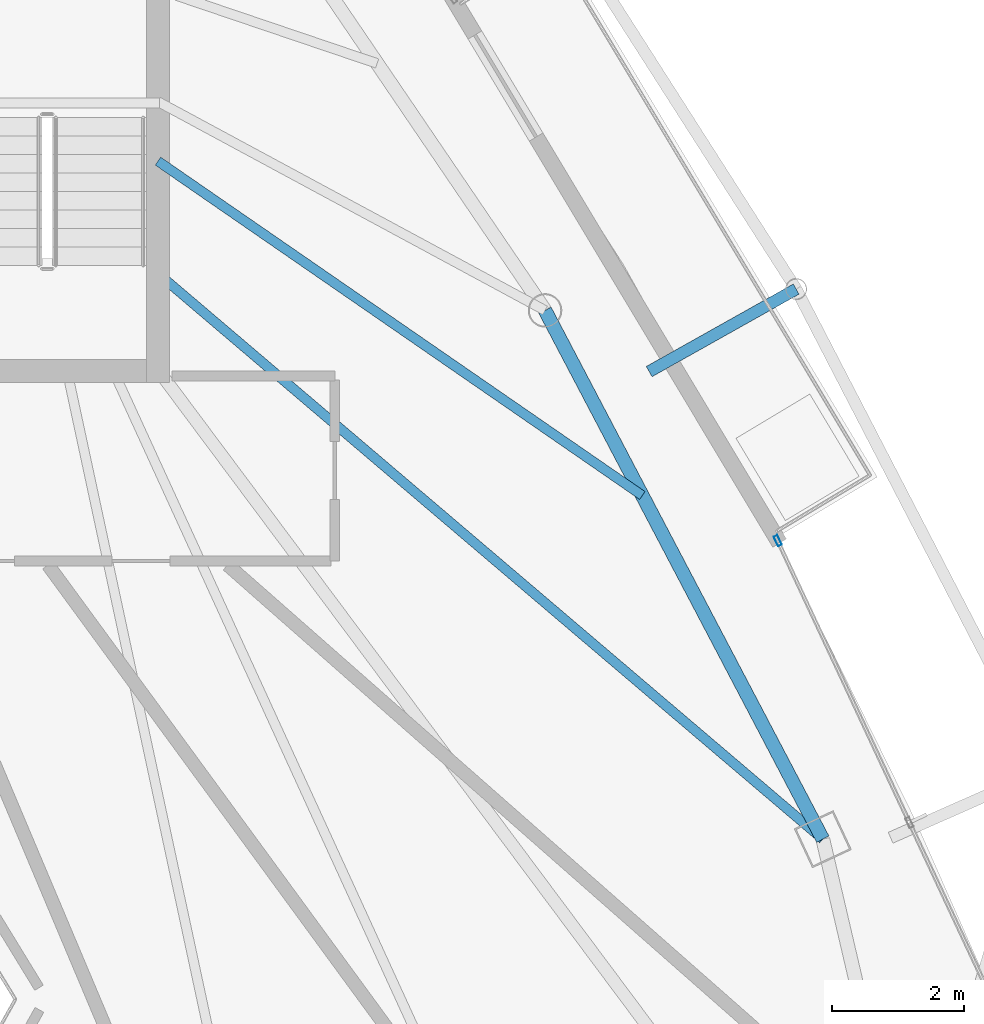
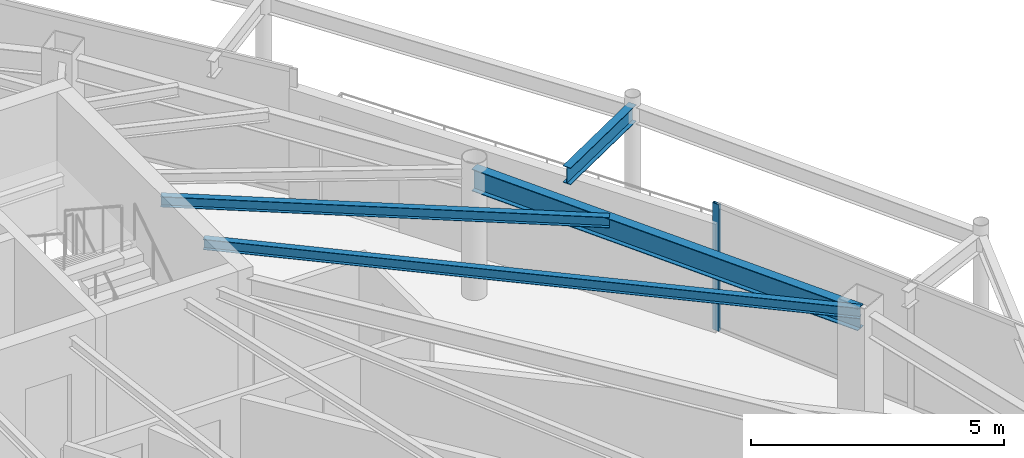
# One storey, part 17 of 28: 4 beams, 1 member, 1 element without a shape of its own.
"""IFC4 building model written with IfcOpenShell, lengths in metres."""

import ifcopenshell
import ifcopenshell.guid

model = None  # the IFC model being written
_history = None  # IfcOwnerHistory: only IFC2X3 demands one
_inside = {}  # id of a spatial element -> (the spatial element, [elements in it])
_under = {}  # id of a project, library or spatial element -> (it, [spatial elements below it])
_declared = {}  # id of a project -> (the project, [libraries it declares])
_typed = {}  # id of a type object -> (the type object, [elements of that type])
_made_of = {}  # id of a material, layer set ... -> (it, [elements and type objects made of it])


def new_model(schema):
    """Start an empty IFC model of exactly this schema.

    Asked for "IFC4X3", IfcOpenShell would pick the latest addendum, in which some entities
    have other attributes; the version numbers below select the first issue.
    IFC2X3 requires an IfcOwnerHistory on every rooted entity: one is made here for all.
    """
    global model, _history
    if schema == "IFC4X3":
        model = ifcopenshell.file(schema_version=(4, 3, 0, 0))
    else:
        model = ifcopenshell.file(schema=schema)
    _inside.clear()
    _under.clear()
    _declared.clear()
    _typed.clear()
    _made_of.clear()
    _history = None
    if model.schema == "IFC2X3":
        org = make("IfcOrganization", Name="unknown")
        user = make(
            "IfcPersonAndOrganization",
            ThePerson=make("IfcPerson", FamilyName="unknown"),
            TheOrganization=org,
        )
        app = make(
            "IfcApplication",
            ApplicationDeveloper=org,
            Version="unknown",
            ApplicationFullName="unknown",
            ApplicationIdentifier="unknown",
        )
        _history = make(
            "IfcOwnerHistory",
            OwningUser=user,
            OwningApplication=app,
            ChangeAction="ADDED",
            CreationDate=0,
        )
    return model


def make(cls, **values):
    """One entity of the class cls with the attributes given. An attribute that is None is left unset."""
    return model.create_entity(
        cls, **{name: value for name, value in values.items() if value is not None}
    )


def rooted(cls, **values):
    """An entity with a GlobalId (a new one), such as an element, a storey or a relation."""
    return make(cls, GlobalId=ifcopenshell.guid.new(), OwnerHistory=_history, **values)


def si_unit(unit_type, name, prefix=None):
    """IfcSIUnit, for example si_unit("LENGTHUNIT", "METRE", prefix="MILLI")."""
    return make("IfcSIUnit", UnitType=unit_type, Prefix=prefix, Name=name)


def assignment(units):
    """IfcUnitAssignment: the units of a project."""
    return None if units is None else make("IfcUnitAssignment", Units=units)


def point(xyz):
    """IfcCartesianPoint."""
    return None if xyz is None else make("IfcCartesianPoint", Coordinates=xyz)


def direction(xyz):
    """IfcDirection."""
    return None if xyz is None else make("IfcDirection", DirectionRatios=xyz)


def frame(location, z_axis=None, x_axis=None):
    """IfcAxis2Placement3D, a coordinate frame: its origin and axes. An axis left out is left unset."""
    return make(
        "IfcAxis2Placement3D",
        Location=point(location),
        Axis=direction(z_axis),
        RefDirection=direction(x_axis),
    )


def frame_2d(location, x_axis=None):
    """IfcAxis2Placement2D, a coordinate frame in the plane: its origin and x axis."""
    return make(
        "IfcAxis2Placement2D", Location=point(location), RefDirection=direction(x_axis)
    )


def origin():
    """The frame at (0, 0, 0) with its axes left unset."""
    return frame((0.0, 0.0, 0.0))


def origin_2d():
    """The frame at (0, 0) in the plane with its x axis left unset."""
    return frame_2d((0.0, 0.0))


def place(relative_to, where):
    """IfcLocalPlacement: puts the frame where relative to a parent placement (None: the world)."""
    return make(
        "IfcLocalPlacement", PlacementRelTo=relative_to, RelativePlacement=where
    )


def context(
    kind, dimensions, precision=None, world=None, true_north=None, identifier=None
):
    """IfcGeometricRepresentationContext, for example the 3D "Model" context."""
    return make(
        "IfcGeometricRepresentationContext",
        ContextIdentifier=identifier,
        ContextType=kind,
        CoordinateSpaceDimension=dimensions,
        Precision=precision,
        WorldCoordinateSystem=world,
        TrueNorth=true_north,
    )


def subcontext(parent, identifier, kind, view, scale=None):
    """IfcGeometricRepresentationSubContext, for example "Body" below "Model"."""
    return make(
        "IfcGeometricRepresentationSubContext",
        ContextIdentifier=identifier,
        ContextType=kind,
        ParentContext=parent,
        TargetScale=scale,
        TargetView=view,
    )


def project(units=None, contexts=None):
    """IfcProject with its units and contexts."""
    return rooted(
        "IfcProject",
        Name="project",
        RepresentationContexts=contexts,
        UnitsInContext=assignment(units),
    )


def spatial(cls, under=None, at=None, **own):
    """A site, building, storey or space (cls), placed at a placement, below another one or the project."""
    s = rooted(cls, ObjectPlacement=at, **own)
    if under is not None:
        _under.setdefault(under.id(), (under, []))[1].append(s)
    return s


def profile(cls, at=None, kind="AREA", **sizes):
    """A parametric profile (cls). Its sizes go by their IFC names, for example OverallWidth=200.0."""
    return make(cls, ProfileType=kind, Position=at, **sizes)


def hollow_rectangle(**sizes):
    """IfcRectangleHollowProfileDef."""
    return profile("IfcRectangleHollowProfileDef", **sizes)


def i_section(**sizes):
    """IfcIShapeProfileDef."""
    return profile("IfcIShapeProfileDef", **sizes)


def extrude(swept, where, along, depth):
    """IfcExtrudedAreaSolid: the profile swept, set in the frame where, extruded along a direction by depth."""
    return make(
        "IfcExtrudedAreaSolid",
        SweptArea=swept,
        Position=where,
        ExtrudedDirection=direction(along),
        Depth=depth,
    )


def shape(context_of_items, identifier, shape_type, items):
    """IfcShapeRepresentation: the items that make up one representation, for example the "Body"."""
    return make(
        "IfcShapeRepresentation",
        ContextOfItems=context_of_items,
        RepresentationIdentifier=identifier,
        RepresentationType=shape_type,
        Items=items,
    )


def material(Name=None, Category=None):
    """IfcMaterial."""
    return make("IfcMaterial", Name=Name, Category=Category)


def layer(
    of_material, thickness, ventilated=None, Name=None, Category=None, Priority=None
):
    """IfcMaterialLayer: one layer of a wall or slab, of a material (None: an air gap)."""
    return make(
        "IfcMaterialLayer",
        Material=of_material,
        LayerThickness=thickness,
        IsVentilated=ventilated,
        Name=Name,
        Category=Category,
        Priority=Priority,
    )


def layer_set(layers, Name=None):
    """IfcMaterialLayerSet."""
    return make("IfcMaterialLayerSet", MaterialLayers=layers, LayerSetName=Name)


def material_profile(
    of_material, cross_section, Name=None, Category=None, Priority=None
):
    """IfcMaterialProfile: a cross section and its material."""
    return make(
        "IfcMaterialProfile",
        Name=Name,
        Material=of_material,
        Profile=cross_section,
        Priority=Priority,
        Category=Category,
    )


def profile_set(profiles, Name=None, composite=None):
    """IfcMaterialProfileSet."""
    return make(
        "IfcMaterialProfileSet",
        Name=Name,
        MaterialProfiles=profiles,
        CompositeProfile=composite,
    )


def made_of(thing, what):
    """Note that an element or type object is made of a material, layer set ...; save() writes the relation."""
    if what is not None:
        _made_of.setdefault(what.id(), (what, []))[1].append(thing)
    return thing


def type_object(cls, material=None, **own):
    """A type object (cls), such as IfcWallType, which elements share."""
    return made_of(rooted(cls, **own), material)


def element(
    cls,
    number,
    at=None,
    inside=None,
    cuts=None,
    type_object=None,
    material=None,
    context=None,
    identifier="Body",
    shape_type=None,
    held_by="IfcProductDefinitionShape",
    body=None,
    shapes=None,
    **own,
):
    """One element of the class cls, such as IfcWall. Its Tag is "e" and its number.

    at: its placement. inside: the storey or other place that contains it. cuts: it is an
    opening in that element (IfcRelVoidsElement). A single representation is given by context,
    identifier, shape_type and body (its items); several are given by shapes. held_by: the class
    of the entity that holds the representations. save() writes the other relations.
    """
    e = rooted(cls, Tag="e%d" % number, ObjectPlacement=at, **own)
    if body is not None:
        shapes = [shape(context, identifier, shape_type, body)]
    if shapes is not None:
        e.Representation = make(held_by, Representations=shapes)
    if inside is not None:
        _inside.setdefault(inside.id(), (inside, []))[1].append(e)
    if cuts is not None:
        rooted(
            "IfcRelVoidsElement", RelatingBuildingElement=cuts, RelatedOpeningElement=e
        )
    if type_object is not None:
        _typed.setdefault(type_object.id(), (type_object, []))[1].append(e)
    return made_of(e, material)


def aggregate(whole, parts):
    """IfcRelAggregates: a whole, such as a stair, and the parts it consists of."""
    return rooted("IfcRelAggregates", RelatingObject=whole, RelatedObjects=parts)


def save(model, path):
    """Write the relations noted so far, then the file.

    IfcRelAggregates (storeys below a building ...), IfcRelContainedInSpatialStructure (elements
    in a storey), IfcRelDefinesByType, IfcRelAssociatesMaterial and IfcRelDeclares: one each for
    every whole, place, type object, material and project.
    """
    for whole, parts in _under.values():
        aggregate(whole, parts)
    for where, things in _inside.values():
        rooted(
            "IfcRelContainedInSpatialStructure",
            RelatedElements=things,
            RelatingStructure=where,
        )
    for kind, things in _typed.values():
        rooted("IfcRelDefinesByType", RelatedObjects=things, RelatingType=kind)
    for what, things in _made_of.values():
        rooted("IfcRelAssociatesMaterial", RelatedObjects=things, RelatingMaterial=what)
    for by, libraries in _declared.values():
        rooted("IfcRelDeclares", RelatingContext=by, RelatedDefinitions=libraries)
    model.write(path)


model = new_model("IFC4")

# Units and contexts
model_context = context("Model", 3, precision=1e-05, world=origin(), true_north=direction((0.0, 1.0)))
body_context = subcontext(model_context, "Body", "Model", "MODEL_VIEW")
ifc_project = project(units=[si_unit("LENGTHUNIT", "METRE"), si_unit("AREAUNIT", "SQUARE_METRE"), si_unit("VOLUMEUNIT", "CUBIC_METRE"), si_unit("PLANEANGLEUNIT", "RADIAN"), si_unit("MASSUNIT", "GRAM", prefix="KILO")], contexts=[model_context])

# Site, building, storey
site_placement = place(None, origin())
site = spatial("IfcSite", under=ifc_project, at=site_placement, CompositionType="ELEMENT")
building_placement = place(site_placement, origin())
building = spatial("IfcBuilding", under=site, at=building_placement, Name="Orvanel Arch Residences", CompositionType="ELEMENT")
storey_placement = place(building_placement, frame((0.0, 0.0, 260.14990234375)))
storey = spatial("IfcBuildingStorey", under=building, at=storey_placement, Name="L74", CompositionType="ELEMENT", Elevation=260.14990234375)

# Beams
ifc_material_1 = material(Name="Structural steel AS/NZS 3679.1 Grade 300 (300 MPa)", Category="steel")
ifc_material_profile_1 = material_profile(ifc_material_1, i_section(OverallWidth=0.14599609375, OverallDepth=0.251953125, WebThickness=0.006103515625, FlangeThickness=0.008544921875, at=origin_2d()), Name="250UB31.4")
ifc_profile_set_1 = profile_set([ifc_material_profile_1], Name="Structural steel AS/NZS 3679.1 Grade 300 (300 MPa)")
beam_type_1 = type_object("IfcBeamType", Name="BJ-250UB", PredefinedType="JOIST", material=ifc_profile_set_1)
beam_1_placement = place(storey_placement, frame((39.574951171875, 28.199951171875, 2.93408203125), z_axis=(0.761622669031, -0.64802076357, 0.0), x_axis=(0.64802076357, 0.761622669031, 0.0)))
element("IfcBeam", 1, at=beam_1_placement, inside=storey, type_object=beam_type_1, Name="L74 E Wing Floor Joist", PredefinedType="JOIST", context=body_context, shape_type="SweptSolid", body=[
    extrude(i_section(OverallWidth=0.14599609375, OverallDepth=0.251953125, WebThickness=0.006103515625, FlangeThickness=0.008544921875, at=origin_2d()), origin(), (0.0, 0.0, 1.0), 13.2060546875),
])
beam_2_placement = place(storey_placement, frame((39.574951171875, 29.89990234375, 2.93408203125), z_axis=(0.822917046387, -0.568161539323, 0.0), x_axis=(0.568161539323, 0.822917046387, 0.0)))
element("IfcBeam", 2, at=beam_2_placement, inside=storey, type_object=beam_type_1, Name="L74 CTE Wing Floor Joist", PredefinedType="JOIST", context=body_context, shape_type="SweptSolid", body=[
    extrude(i_section(OverallWidth=0.14599609375, OverallDepth=0.251953125, WebThickness=0.006103515625, FlangeThickness=0.008544921875, at=origin_2d()), origin(), (0.0, 0.0, 1.0), 8.90380859375),
])

# Curtain wall, member
ifc_material_2 = material(Name="Bronze-anodised aluminium AA6063-T6", Category="aluminium")
ifc_layer = layer(ifc_material_2, 0.175048828125)
ifc_layer_set = layer_set([ifc_layer], Name="Bronze-anodised aluminium AA6063-T6")
curtain_wall_type = type_object("IfcCurtainWallType", Name="CW4-HI-SYS", PredefinedType="NOTDEFINED", material=ifc_layer_set)
curtain_wall_placement = place(storey_placement, origin())
curtain_wall = element("IfcCurtainWall", 3, at=curtain_wall_placement, inside=storey, type_object=curtain_wall_type, Name="L74 CW4-HI-SYS Unitised Curtain Wall", PredefinedType="NOTDEFINED")
ifc_material_profile_2 = material_profile(ifc_material_2, hollow_rectangle(XDim=0.06494140625, YDim=0.159912109375, WallThickness=0.00390625, at=origin_2d()), Name="ALU160x65x4")
ifc_profile_set_2 = profile_set([ifc_material_profile_2], Name="Bronze-anodised aluminium AA6063-T6")
member_type = type_object("IfcMemberType", Name="MUL-160x65", PredefinedType="MULLION", material=ifc_profile_set_2)
member_placement = place(storey_placement, frame((48.95166015625, 24.158447265625, 0.0), z_axis=(0.0, 0.0, 1.0), x_axis=(-0.906094149888, -0.423076106083, 0.0)))
member = element("IfcMember", 4, at=member_placement, type_object=member_type, Name="CW-S4 mullion 3", PredefinedType="MULLION", context=body_context, shape_type="SweptSolid", body=[
    extrude(hollow_rectangle(XDim=0.06494140625, YDim=0.159912109375, WallThickness=0.00390625, at=origin_2d()), origin(), (0.0, 0.0, 1.0), 3.06005859375),
])
aggregate(curtain_wall, [member])

# Beams
ifc_material_profile_3 = material_profile(ifc_material_1, i_section(OverallWidth=0.177978515625, OverallDepth=0.406005859375, WebThickness=0.0078125, FlangeThickness=0.0126953125, at=origin_2d()), Name="410UB59.7")
ifc_profile_set_3 = profile_set([ifc_material_profile_3], Name="Structural steel AS/NZS 3679.1 Grade 300 (300 MPa)")
beam_type_2 = type_object("IfcBeamType", Name="OB-410UB-EXT", PredefinedType="SPANDREL", material=ifc_profile_set_3)
beam_3_placement = place(storey_placement, frame((47.006103515625, 26.716064453125, 2.857177734375), z_axis=(0.872058338595, 0.489401935108, 0.0), x_axis=(-0.489401935108, 0.872058338595, 0.0)))
element("IfcBeam", 5, at=beam_3_placement, inside=storey, type_object=beam_type_2, Name="L74 Outer Frame Radial Tie Beam 10", PredefinedType="SPANDREL", context=body_context, shape_type="SweptSolid", body=[
    extrude(i_section(OverallWidth=0.177978515625, OverallDepth=0.406005859375, WebThickness=0.0078125, FlangeThickness=0.0126953125, at=origin_2d()), origin(), (0.0, 0.0, 1.0), 2.550048828125),
])
ifc_material_profile_4 = material_profile(ifc_material_1, i_section(OverallWidth=0.208984375, OverallDepth=0.532958984375, WebThickness=0.01025390625, FlangeThickness=0.015625, at=origin_2d()), Name="530UB92.4")
ifc_profile_set_4 = profile_set([ifc_material_profile_4], Name="Structural steel AS/NZS 3679.1 Grade 300 (300 MPa)")
beam_type_3 = type_object("IfcBeamType", Name="SP-530UB", PredefinedType="SPANDREL", material=ifc_profile_set_4)
beam_4_placement = place(storey_placement, frame((49.633056640625, 19.64208984375, 2.793212890625), z_axis=(-0.465064762793, 0.885276660942, 0.0), x_axis=(-0.885276660942, -0.465064762793, 0.0)))
element("IfcBeam", 6, at=beam_4_placement, inside=storey, type_object=beam_type_3, Name="L74 Perimeter Spandrel Beam 07", PredefinedType="SPANDREL", context=body_context, shape_type="SweptSolid", body=[
    extrude(i_section(OverallWidth=0.208984375, OverallDepth=0.532958984375, WebThickness=0.01025390625, FlangeThickness=0.015625, at=origin_2d()), origin(), (0.0, 0.0, 1.0), 9.03564453125),
])

save(model, "model.ifc")
